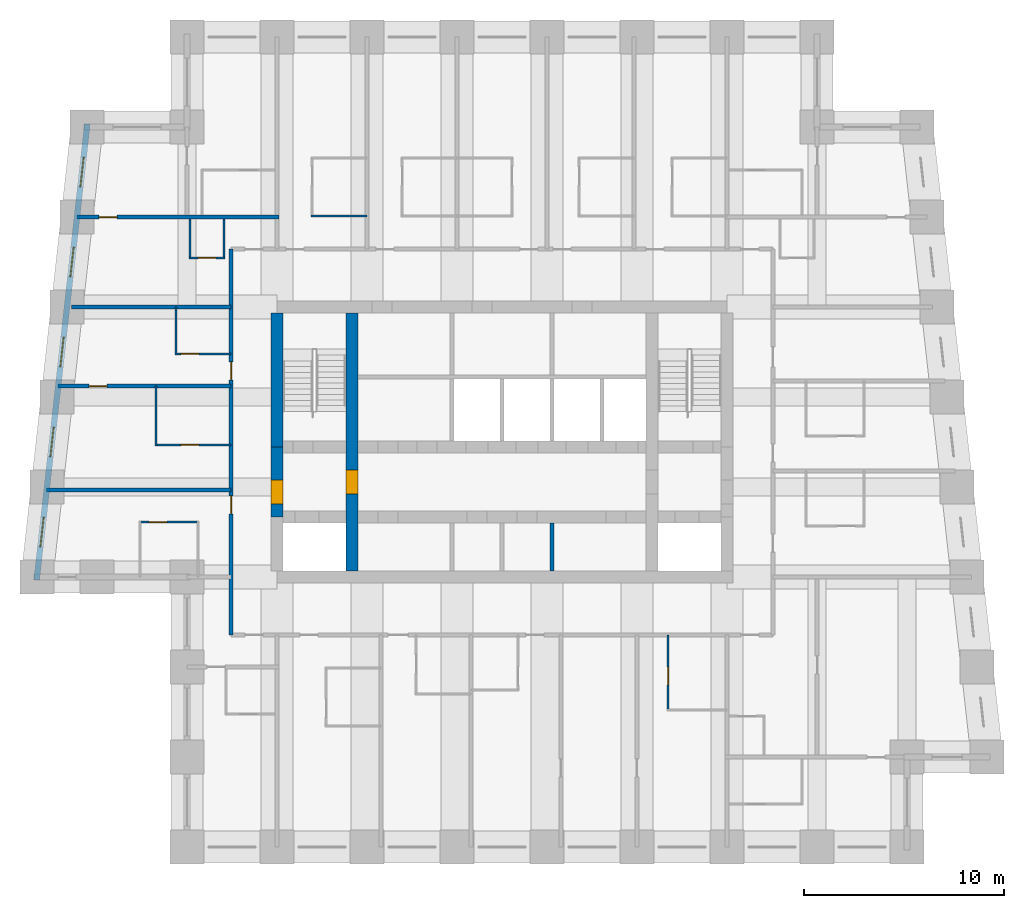
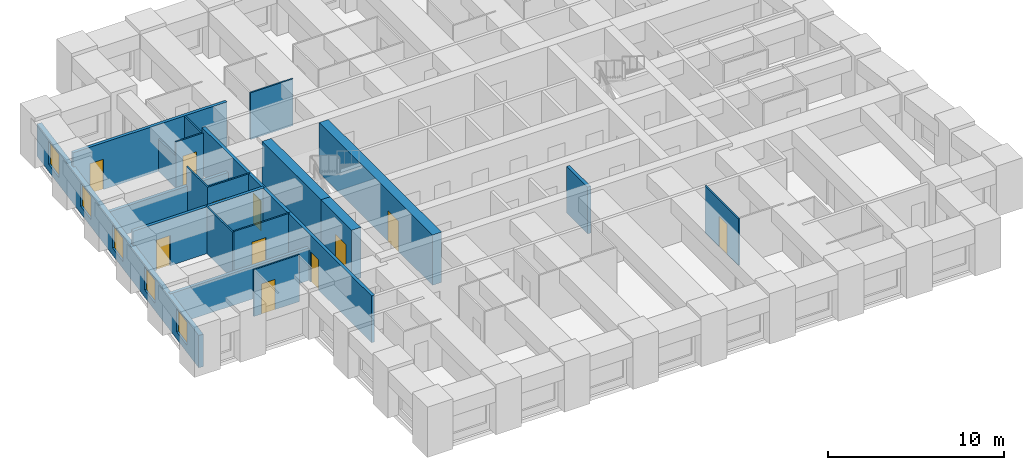
# One storey, part 3 of 8: 20 walls, 11 doors, 5 windows, 16 openings.
"""IFC4 building model written with IfcOpenShell, lengths in metres."""

from ifc_helpers import new_model, si_unit, direction, frame, frame_2d, origin, place, context, subcontext, project, spatial, rectangle, extrude, material, layer, layer_set, type_object, element, fill, save


model = new_model("IFC4")

# Units and contexts
model_context = context("Model", 3, precision=1e-05, world=origin(), true_north=direction((0.0, 1.0)))
body_context = subcontext(model_context, "Body", "Model", "MODEL_VIEW")
ifc_project = project(units=[si_unit("LENGTHUNIT", "METRE"), si_unit("AREAUNIT", "SQUARE_METRE"), si_unit("VOLUMEUNIT", "CUBIC_METRE"), si_unit("PLANEANGLEUNIT", "RADIAN"), si_unit("MASSUNIT", "GRAM", prefix="KILO")], contexts=[model_context])

# Site, building, storey
site_placement = place(None, origin())
site = spatial("IfcSite", under=ifc_project, at=site_placement, CompositionType="ELEMENT")
building_placement = place(site_placement, origin())
building = spatial("IfcBuilding", under=site, at=building_placement, Name="Kilele Tower Hotel", CompositionType="ELEMENT")
storey_placement = place(building_placement, frame((0.0, 0.0, 186.89990234375)))
storey = spatial("IfcBuildingStorey", under=building, at=storey_placement, Name="L48", CompositionType="ELEMENT", Elevation=186.89990234375)

# Wall, opening, door
ifc_material_1 = material(Name="Moisture-resistant board")
ifc_layer_1 = layer(ifc_material_1, 0.10009765625)
ifc_layer_set_1 = layer_set([ifc_layer_1], Name="Moisture-resistant board")
wall_type_1 = type_object("IfcWallType", Name="Bathroom partition 100", PredefinedType="PLUMBINGWALL", material=ifc_layer_set_1)
wall_1_placement = place(storey_placement, frame((33.050048828125, 10.60009765625, 0.0), z_axis=(0.0, 0.0, 1.0), x_axis=(0.0, -1.0, 0.0)))
wall_1 = element("IfcWall", 1, at=wall_1_placement, inside=storey, type_object=wall_type_1, Name="Bathroom partition 100 L48", PredefinedType="PLUMBINGWALL", context=body_context, shape_type="SweptSolid", body=[
    extrude(rectangle(XDim=3.800048828125, YDim=0.10009765625, at=frame_2d((1.89990234375, 0.0))), origin(), (0.0, 0.0, 1.0), 3.25),
])
opening_1_placement = place(wall_1_placement, frame((2.5, 0.0, 0.0), z_axis=(0.0, 0.0, 1.0), x_axis=(-1.0, 0.0, 0.0)))
opening_1 = element("IfcOpeningElement", 2, at=opening_1_placement, cuts=wall_1, Name="Opening D2A", PredefinedType="OPENING", context=body_context, shape_type="SweptSolid", body=[
    extrude(rectangle(XDim=0.89990234375, YDim=2.10009765625, at=frame_2d((0.449951171875, 1.050048828125))), frame((0.0, 0.06005859375, 0.0), z_axis=(0.0, -1.0, 0.0), x_axis=(1.0, 0.0, 0.0)), (0.0, 0.0, 1.0), 0.1201171875),
])
ifc_material_2 = material(Name="Timber door leaf in hardwood frame", Category="wood")
door_type_1 = type_object("IfcDoorType", Name="Bathroom door 900", OperationType="SINGLE_SWING_LEFT", PredefinedType="DOOR", material=ifc_material_2)
door_1_placement = place(opening_1_placement, origin())
door_1 = element("IfcDoor", 3, at=door_1_placement, inside=storey, type_object=door_type_1, Name="Bathroom door 4805B", OperationType="SINGLE_SWING_LEFT", OverallHeight=2.10009765625, OverallWidth=0.89990234375, PredefinedType="DOOR", context=body_context, shape_type="SweptSolid", body=[
    extrude(rectangle(XDim=0.89990234375, YDim=2.10009765625, at=frame_2d((0.449951171875, 1.050048828125))), frame((0.0, 0.02490234375, 0.0), z_axis=(0.0, -1.0, 0.0), x_axis=(1.0, 0.0, 0.0)), (0.0, 0.0, 1.0), 0.050048828125),
])
fill(opening_1, door_1)

# Wall
wall_2_placement = place(storey_placement, frame((15.199951171875, 31.550048828125, 0.0), z_axis=(0.0, 0.0, 1.0), x_axis=(1.0, 0.0, 0.0)))
element("IfcWall", 4, at=wall_2_placement, inside=storey, type_object=wall_type_1, Name="Bathroom partition 100 L48", PredefinedType="PLUMBINGWALL", context=body_context, shape_type="SweptSolid", body=[
    extrude(rectangle(XDim=2.800048828125, YDim=0.10009765625, at=frame_2d((1.39990234375, 0.0))), origin(), (0.0, 0.0, 1.0), 3.25),
])

# Wall, opening, door
wall_3_placement = place(storey_placement, frame((9.60009765625, 16.25, 0.0), z_axis=(0.0, 0.0, 1.0), x_axis=(-1.0, 0.0, 0.0)))
wall_3 = element("IfcWall", 5, at=wall_3_placement, inside=storey, type_object=wall_type_1, Name="Bathroom partition 100 L48", PredefinedType="PLUMBINGWALL", context=body_context, shape_type="SweptSolid", body=[
    extrude(rectangle(XDim=3.0, YDim=0.10009765625, at=frame_2d((1.5, 0.0))), origin(), (0.0, 0.0, 1.0), 3.25),
])
opening_2_placement = place(wall_3_placement, frame((2.5, 0.0, 0.0), z_axis=(0.0, 0.0, 1.0), x_axis=(-1.0, 0.0, 0.0)))
opening_2 = element("IfcOpeningElement", 6, at=opening_2_placement, cuts=wall_3, Name="Opening D2A", PredefinedType="OPENING", context=body_context, shape_type="SweptSolid", body=[
    extrude(rectangle(XDim=0.89990234375, YDim=2.10009765625, at=frame_2d((0.449951171875, 1.050048828125))), frame((0.0, 0.06005859375, 0.0), z_axis=(0.0, -1.0, 0.0), x_axis=(1.0, 0.0, 0.0)), (0.0, 0.0, 1.0), 0.1201171875),
])
door_2_placement = place(opening_2_placement, origin())
door_2 = element("IfcDoor", 7, at=door_2_placement, inside=storey, type_object=door_type_1, Name="Bathroom door 4814B", OperationType="SINGLE_SWING_LEFT", OverallHeight=2.10009765625, OverallWidth=0.89990234375, PredefinedType="DOOR", context=body_context, shape_type="SweptSolid", body=[
    extrude(rectangle(XDim=0.89990234375, YDim=2.10009765625, at=frame_2d((0.449951171875, 1.050048828125))), frame((0.0, 0.02490234375, 0.0), z_axis=(0.0, -1.0, 0.0), x_axis=(1.0, 0.0, 0.0)), (0.0, 0.0, 1.0), 0.050048828125),
])
fill(opening_2, door_2)

# Wall
wall_4_placement = place(storey_placement, frame((7.449951171875, 20.050048828125, 0.0), z_axis=(0.0, 0.0, 1.0), x_axis=(0.0, 1.0, 0.0)))
element("IfcWall", 8, at=wall_4_placement, inside=storey, type_object=wall_type_1, Name="Bathroom partition 100 L48", PredefinedType="PLUMBINGWALL", context=body_context, shape_type="SweptSolid", body=[
    extrude(rectangle(XDim=3.0, YDim=0.10009765625, at=frame_2d((1.5, 0.0))), origin(), (0.0, 0.0, 1.0), 3.25),
])

# Wall, opening, door
wall_5_placement = place(storey_placement, frame((11.199951171875, 20.10009765625, 0.0), z_axis=(0.0, 0.0, 1.0), x_axis=(-1.0, 0.0, 0.0)))
wall_5 = element("IfcWall", 9, at=wall_5_placement, inside=storey, type_object=wall_type_1, Name="Bathroom partition 100 L48", PredefinedType="PLUMBINGWALL", context=body_context, shape_type="SweptSolid", body=[
    extrude(rectangle(XDim=3.800048828125, YDim=0.10009765625, at=frame_2d((1.89990234375, 0.0))), origin(), (0.0, 0.0, 1.0), 3.25),
])
opening_3_placement = place(wall_5_placement, frame((1.60009765625, 0.0, 0.0)))
opening_3 = element("IfcOpeningElement", 10, at=opening_3_placement, cuts=wall_5, Name="Opening D2A", PredefinedType="OPENING", context=body_context, shape_type="SweptSolid", body=[
    extrude(rectangle(XDim=0.89990234375, YDim=2.10009765625, at=frame_2d((0.449951171875, 1.050048828125))), frame((0.0, 0.06005859375, 0.0), z_axis=(0.0, -1.0, 0.0), x_axis=(1.0, 0.0, 0.0)), (0.0, 0.0, 1.0), 0.1201171875),
])
door_3_placement = place(opening_3_placement, origin())
door_3 = element("IfcDoor", 11, at=door_3_placement, inside=storey, type_object=door_type_1, Name="Bathroom door 4815B", OperationType="SINGLE_SWING_RIGHT", OverallHeight=2.10009765625, OverallWidth=0.89990234375, PredefinedType="DOOR", context=body_context, shape_type="SweptSolid", body=[
    extrude(rectangle(XDim=0.89990234375, YDim=2.10009765625, at=frame_2d((0.449951171875, 1.050048828125))), frame((0.0, 0.02490234375, 0.0), z_axis=(0.0, -1.0, 0.0), x_axis=(1.0, 0.0, 0.0)), (0.0, 0.0, 1.0), 0.050048828125),
])
fill(opening_3, door_3)

# Wall
wall_6_placement = place(storey_placement, frame((8.449951171875, 24.60009765625, 0.0), z_axis=(0.0, 0.0, 1.0), x_axis=(0.0, 1.0, 0.0)))
element("IfcWall", 12, at=wall_6_placement, inside=storey, type_object=wall_type_1, Name="Bathroom partition 100 L48", PredefinedType="PLUMBINGWALL", context=body_context, shape_type="SweptSolid", body=[
    extrude(rectangle(XDim=2.39990234375, YDim=0.10009765625, at=frame_2d((1.199951171875, 0.0))), origin(), (0.0, 0.0, 1.0), 3.25),
])

# Wall, opening, door
wall_7_placement = place(storey_placement, frame((11.199951171875, 24.64990234375, 0.0), z_axis=(0.0, 0.0, 1.0), x_axis=(-1.0, 0.0, 0.0)))
wall_7 = element("IfcWall", 13, at=wall_7_placement, inside=storey, type_object=wall_type_1, Name="Bathroom partition 100 L48", PredefinedType="PLUMBINGWALL", context=body_context, shape_type="SweptSolid", body=[
    extrude(rectangle(XDim=2.800048828125, YDim=0.10009765625, at=frame_2d((1.39990234375, 0.0))), origin(), (0.0, 0.0, 1.0), 3.25),
])
opening_4_placement = place(wall_7_placement, frame((1.60009765625, 0.0, 0.0)))
opening_4 = element("IfcOpeningElement", 14, at=opening_4_placement, cuts=wall_7, Name="Opening D2A", PredefinedType="OPENING", context=body_context, shape_type="SweptSolid", body=[
    extrude(rectangle(XDim=0.89990234375, YDim=2.10009765625, at=frame_2d((0.449951171875, 1.050048828125))), frame((0.0, 0.06005859375, 0.0), z_axis=(0.0, -1.0, 0.0), x_axis=(1.0, 0.0, 0.0)), (0.0, 0.0, 1.0), 0.1201171875),
])
door_4_placement = place(opening_4_placement, origin())
door_4 = element("IfcDoor", 15, at=door_4_placement, inside=storey, type_object=door_type_1, Name="Bathroom door 4816B", OperationType="SINGLE_SWING_RIGHT", OverallHeight=2.10009765625, OverallWidth=0.89990234375, PredefinedType="DOOR", context=body_context, shape_type="SweptSolid", body=[
    extrude(rectangle(XDim=0.89990234375, YDim=2.10009765625, at=frame_2d((0.449951171875, 1.050048828125))), frame((0.0, 0.02490234375, 0.0), z_axis=(0.0, -1.0, 0.0), x_axis=(1.0, 0.0, 0.0)), (0.0, 0.0, 1.0), 0.050048828125),
])
fill(opening_4, door_4)

# Walls
wall_8_placement = place(storey_placement, frame((9.14990234375, 31.39990234375, 0.0), z_axis=(0.0, 0.0, 1.0), x_axis=(0.0, -1.0, 0.0)))
element("IfcWall", 16, at=wall_8_placement, inside=storey, type_object=wall_type_1, Name="Bathroom partition 100 L48", PredefinedType="PLUMBINGWALL", context=body_context, shape_type="SweptSolid", body=[
    extrude(rectangle(XDim=2.0, YDim=0.10009765625, at=frame_2d((1.0, 0.0))), origin(), (0.0, 0.0, 1.0), 2.25),
])
wall_9_placement = place(storey_placement, frame((10.85009765625, 31.39990234375, 0.0), z_axis=(0.0, 0.0, 1.0), x_axis=(0.0, -1.0, 0.0)))
element("IfcWall", 17, at=wall_9_placement, inside=storey, type_object=wall_type_1, Name="Bathroom partition 100 L48", PredefinedType="PLUMBINGWALL", context=body_context, shape_type="SweptSolid", body=[
    extrude(rectangle(XDim=2.0, YDim=0.10009765625, at=frame_2d((1.0, 0.0))), origin(), (0.0, 0.0, 1.0), 3.25),
])

# Wall, opening, door
wall_10_placement = place(storey_placement, frame((10.89990234375, 29.449951171875, 0.0), z_axis=(0.0, 0.0, 1.0), x_axis=(-1.0, 0.0, 0.0)))
wall_10 = element("IfcWall", 18, at=wall_10_placement, inside=storey, type_object=wall_type_1, Name="Bathroom partition 100 L48", PredefinedType="PLUMBINGWALL", context=body_context, shape_type="SweptSolid", body=[
    extrude(rectangle(XDim=1.7998046875, YDim=0.10009765625, at=frame_2d((0.89990234375, 0.0))), origin(), (0.0, 0.0, 1.0), 3.25),
])
opening_5_placement = place(wall_10_placement, frame((0.449951171875, 0.0, 0.0)))
opening_5 = element("IfcOpeningElement", 19, at=opening_5_placement, cuts=wall_10, Name="Opening D2A", PredefinedType="OPENING", context=body_context, shape_type="SweptSolid", body=[
    extrude(rectangle(XDim=0.89990234375, YDim=2.10009765625, at=frame_2d((0.449951171875, 1.050048828125))), frame((0.0, 0.06005859375, 0.0), z_axis=(0.0, -1.0, 0.0), x_axis=(1.0, 0.0, 0.0)), (0.0, 0.0, 1.0), 0.1201171875),
])
door_5_placement = place(opening_5_placement, origin())
door_5 = element("IfcDoor", 20, at=door_5_placement, inside=storey, type_object=door_type_1, Name="Bathroom door 4825P", OperationType="SINGLE_SWING_LEFT", OverallHeight=2.10009765625, OverallWidth=0.89990234375, PredefinedType="DOOR", context=body_context, shape_type="SweptSolid", body=[
    extrude(rectangle(XDim=0.89990234375, YDim=2.10009765625, at=frame_2d((0.449951171875, 1.050048828125))), frame((0.0, 0.02490234375, 0.0), z_axis=(0.0, -1.0, 0.0), x_axis=(1.0, 0.0, 0.0)), (0.0, 0.0, 1.0), 0.050048828125),
])
fill(opening_5, door_5)

ifc_material_3 = material(Name="Concrete C70/85", Category="concrete")
ifc_layer_2 = layer(ifc_material_3, 0.60009765625)
ifc_layer_set_2 = layer_set([ifc_layer_2], Name="Concrete C70/85")
wall_type_2 = type_object("IfcWallType", Name="Core wall 600 C70/85", PredefinedType="SHEAR", material=ifc_layer_set_2)
wall_11_placement = place(storey_placement, frame((17.25, 13.800048828125, 0.0), z_axis=(0.0, 0.0, 1.0), x_axis=(0.0, 1.0, 0.0)))
wall_11 = element("IfcWall", 21, at=wall_11_placement, inside=storey, type_object=wall_type_2, Name="Core wall IW L48", PredefinedType="SHEAR", context=body_context, shape_type="SweptSolid", body=[
    extrude(rectangle(XDim=12.89990234375, YDim=0.60009765625, at=frame_2d((6.449951171875, 0.0))), origin(), (0.0, 0.0, 1.0), 3.5),
])
opening_6_placement = place(wall_11_placement, frame((3.85009765625, 0.0, 0.0)))
opening_6 = element("IfcOpeningElement", 22, at=opening_6_placement, cuts=wall_11, Name="Opening D4", PredefinedType="OPENING", context=body_context, shape_type="SweptSolid", body=[
    extrude(rectangle(XDim=1.199951171875, YDim=2.10009765625, at=frame_2d((0.60009765625, 1.050048828125))), frame((0.0, 0.31005859375, 0.0), z_axis=(0.0, -1.0, 0.0), x_axis=(1.0, 0.0, 0.0)), (0.0, 0.0, 1.0), 0.6201171875),
])
ifc_material_4 = material(Name="Timber door leaf in hardwood frame", Category="wood")
door_type_2 = type_object("IfcDoorType", Name="Firefighting lobby door 1200", OperationType="SINGLE_SWING_LEFT", PredefinedType="DOOR", material=ifc_material_4)
door_6_placement = place(opening_6_placement, origin())
door_6 = element("IfcDoor", 23, at=door_6_placement, inside=storey, type_object=door_type_2, Name="Lobby door L48", OperationType="SINGLE_SWING_LEFT", OverallHeight=2.10009765625, OverallWidth=1.199951171875, PredefinedType="DOOR", context=body_context, shape_type="SweptSolid", body=[
    extrude(rectangle(XDim=1.199951171875, YDim=2.10009765625, at=frame_2d((0.60009765625, 1.050048828125))), frame((0.0, 0.2998046875, 0.0), z_axis=(0.0, -1.0, 0.0), x_axis=(1.0, 0.0, 0.0)), (0.0, 0.0, 1.0), 0.599609375),
])
fill(opening_6, door_6)

# Wall
wall_12_placement = place(storey_placement, frame((13.5, 26.699951171875, 0.0), z_axis=(0.0, 0.0, 1.0), x_axis=(0.0, -1.0, 0.0)))
element("IfcWall", 24, at=wall_12_placement, inside=storey, type_object=wall_type_2, Name="Core wall W1 L48", PredefinedType="SHEAR", context=body_context, shape_type="SweptSolid", body=[
    extrude(rectangle(XDim=6.699951171875, YDim=0.60009765625, at=frame_2d((3.35009765625, 0.0))), origin(), (0.0, 0.0, 1.0), 3.5),
])

# Wall, opening, door
wall_13_placement = place(storey_placement, frame((13.5, 20.0, 0.0), z_axis=(0.0, 0.0, 1.0), x_axis=(0.0, -1.0, 0.0)))
wall_13 = element("IfcWall", 25, at=wall_13_placement, inside=storey, type_object=wall_type_2, Name="Core wall W2 L48", PredefinedType="SHEAR", context=body_context, shape_type="SweptSolid", body=[
    extrude(rectangle(XDim=3.5, YDim=0.60009765625, at=frame_2d((1.75, 0.0))), origin(), (0.0, 0.0, 1.0), 3.5),
])
opening_7_placement = place(wall_13_placement, frame((1.64990234375, 0.0, 0.0)))
opening_7 = element("IfcOpeningElement", 26, at=opening_7_placement, cuts=wall_13, Name="Opening D4", PredefinedType="OPENING", context=body_context, shape_type="SweptSolid", body=[
    extrude(rectangle(XDim=1.199951171875, YDim=2.10009765625, at=frame_2d((0.60009765625, 1.050048828125))), frame((0.0, 0.31005859375, 0.0), z_axis=(0.0, -1.0, 0.0), x_axis=(1.0, 0.0, 0.0)), (0.0, 0.0, 1.0), 0.6201171875),
])
door_7_placement = place(opening_7_placement, origin())
door_7 = element("IfcDoor", 27, at=door_7_placement, inside=storey, type_object=door_type_2, Name="Lobby door L48", OperationType="SINGLE_SWING_RIGHT", OverallHeight=2.10009765625, OverallWidth=1.199951171875, PredefinedType="DOOR", context=body_context, shape_type="SweptSolid", body=[
    extrude(rectangle(XDim=1.199951171875, YDim=2.10009765625, at=frame_2d((0.60009765625, 1.050048828125))), frame((0.0, 0.2998046875, 0.0), z_axis=(0.0, -1.0, 0.0), x_axis=(1.0, 0.0, 0.0)), (0.0, 0.0, 1.0), 0.599609375),
])
fill(opening_7, door_7)

# Wall, openings, doors
ifc_material_5 = material(Name="Blockwork, plastered both sides", Category="masonry")
ifc_layer_3 = layer(ifc_material_5, 0.199951171875)
ifc_layer_set_3 = layer_set([ifc_layer_3], Name="Blockwork, plastered both sides")
wall_type_3 = type_object("IfcWallType", Name="Corridor wall 200", PredefinedType="PARTITIONING", material=ifc_layer_set_3)
wall_14_placement = place(storey_placement, frame((11.199951171875, 10.60009765625, 0.0), z_axis=(0.0, 0.0, 1.0), x_axis=(0.0, 1.0, 0.0)))
wall_14 = element("IfcWall", 28, at=wall_14_placement, inside=storey, type_object=wall_type_3, Name="Corridor wall 200 L48", PredefinedType="PARTITIONING", context=body_context, shape_type="SweptSolid", body=[
    extrude(rectangle(XDim=19.2998046875, YDim=0.199951171875, at=frame_2d((9.64990234375, 0.0))), origin(), (0.0, 0.0, 1.0), 3.25),
])
opening_8_placement = place(wall_14_placement, frame((6.050048828125, 0.0, 0.0)))
opening_8 = element("IfcOpeningElement", 29, at=opening_8_placement, cuts=wall_14, Name="Opening D1", PredefinedType="OPENING", context=body_context, shape_type="SweptSolid", body=[
    extrude(rectangle(XDim=0.89990234375, YDim=2.10009765625, at=frame_2d((0.449951171875, 1.050048828125))), frame((0.0, 0.10986328125, 0.0), z_axis=(0.0, -1.0, 0.0), x_axis=(1.0, 0.0, 0.0)), (0.0, 0.0, 1.0), 0.219970703125),
])
opening_9_placement = place(wall_14_placement, frame((12.75, 0.0, 0.0)))
opening_9 = element("IfcOpeningElement", 30, at=opening_9_placement, cuts=wall_14, Name="Opening D1", PredefinedType="OPENING", context=body_context, shape_type="SweptSolid", body=[
    extrude(rectangle(XDim=0.89990234375, YDim=2.10009765625, at=frame_2d((0.449951171875, 1.050048828125))), frame((0.0, 0.10986328125, 0.0), z_axis=(0.0, -1.0, 0.0), x_axis=(1.0, 0.0, 0.0)), (0.0, 0.0, 1.0), 0.219970703125),
])
ifc_material_6 = material(Name="Timber door leaf in hardwood frame", Category="wood")
door_type_3 = type_object("IfcDoorType", Name="Guest room entrance door 900", OperationType="SINGLE_SWING_LEFT", PredefinedType="DOOR", material=ifc_material_6)
door_8_placement = place(opening_8_placement, origin())
door_8 = element("IfcDoor", 31, at=door_8_placement, inside=storey, type_object=door_type_3, Name="Room entrance 4814", OperationType="SINGLE_SWING_RIGHT", OverallHeight=2.10009765625, OverallWidth=0.89990234375, PredefinedType="DOOR", context=body_context, shape_type="SweptSolid", body=[
    extrude(rectangle(XDim=0.89990234375, YDim=2.10009765625, at=frame_2d((0.449951171875, 1.050048828125))), frame((0.0, 0.02490234375, 0.0), z_axis=(0.0, -1.0, 0.0), x_axis=(1.0, 0.0, 0.0)), (0.0, 0.0, 1.0), 0.050048828125),
])
fill(opening_8, door_8)
door_9_placement = place(opening_9_placement, origin())
door_9 = element("IfcDoor", 32, at=door_9_placement, inside=storey, type_object=door_type_3, Name="Room entrance 4816", OperationType="SINGLE_SWING_LEFT", OverallHeight=2.10009765625, OverallWidth=0.89990234375, PredefinedType="DOOR", context=body_context, shape_type="SweptSolid", body=[
    extrude(rectangle(XDim=0.89990234375, YDim=2.10009765625, at=frame_2d((0.449951171875, 1.050048828125))), frame((0.0, 0.02490234375, 0.0), z_axis=(0.0, -1.0, 0.0), x_axis=(1.0, 0.0, 0.0)), (0.0, 0.0, 1.0), 0.050048828125),
])
fill(opening_9, door_9)

# Wall
ifc_material_7 = material(Name="Blockwork, plastered both sides", Category="masonry")
ifc_layer_4 = layer(ifc_material_7, 0.199951171875)
ifc_layer_set_4 = layer_set([ifc_layer_4], Name="Blockwork, plastered both sides")
wall_type_4 = type_object("IfcWallType", Name="Party wall 200", PredefinedType="PARTITIONING", material=ifc_layer_set_4)
wall_15_placement = place(storey_placement, frame((11.199951171875, 17.85009765625, 0.0), z_axis=(0.0, 0.0, 1.0), x_axis=(-1.0, 0.0, 0.0)))
element("IfcWall", 33, at=wall_15_placement, inside=storey, type_object=wall_type_4, Name="Party wall 200 L48", PredefinedType="PARTITIONING", context=body_context, shape_type="SweptSolid", body=[
    extrude(rectangle(XDim=9.215576171875, YDim=0.199951171875, at=frame_2d((4.60791015625, 0.0))), origin(), (0.0, 0.0, 1.0), 2.25),
])

# Wall, opening, door
wall_16_placement = place(storey_placement, frame((11.199951171875, 23.050048828125, 0.0), z_axis=(0.0, 0.0, 1.0), x_axis=(-1.0, 0.0, 0.0)))
wall_16 = element("IfcWall", 34, at=wall_16_placement, inside=storey, type_object=wall_type_4, Name="Party wall 200 L48", PredefinedType="PARTITIONING", context=body_context, shape_type="SweptSolid", body=[
    extrude(rectangle(XDim=8.637939453125, YDim=0.199951171875, at=frame_2d((4.31884765625, 0.0))), origin(), (0.0, 0.0, 1.0), 3.25),
])
opening_10_placement = place(wall_16_placement, frame((7.099853515625, 0.0, 0.0), z_axis=(0.0, 0.0, 1.0), x_axis=(-1.0, 0.0, 0.0)))
opening_10 = element("IfcOpeningElement", 35, at=opening_10_placement, cuts=wall_16, Name="Opening D3", PredefinedType="OPENING", context=body_context, shape_type="SweptSolid", body=[
    extrude(rectangle(XDim=0.89990234375, YDim=2.10009765625, at=frame_2d((0.449951171875, 1.050048828125))), frame((0.0, 0.10986328125, 0.0), z_axis=(0.0, -1.0, 0.0), x_axis=(1.0, 0.0, 0.0)), (0.0, 0.0, 1.0), 0.219970703125),
])
ifc_material_8 = material(Name="Timber door leaf in hardwood frame", Category="wood")
door_type_4 = type_object("IfcDoorType", Name="Suite internal door 900", OperationType="SINGLE_SWING_LEFT", PredefinedType="DOOR", material=ifc_material_8)
door_10_placement = place(opening_10_placement, origin())
door_10 = element("IfcDoor", 36, at=door_10_placement, inside=storey, type_object=door_type_4, Name="Suite door 4816", OperationType="SINGLE_SWING_LEFT", OverallHeight=2.10009765625, OverallWidth=0.89990234375, PredefinedType="DOOR", context=body_context, shape_type="SweptSolid", body=[
    extrude(rectangle(XDim=0.89990234375, YDim=2.10009765625, at=frame_2d((0.449951171875, 1.050048828125))), frame((0.0, 0.02490234375, 0.0), z_axis=(0.0, -1.0, 0.0), x_axis=(1.0, 0.0, 0.0)), (0.0, 0.0, 1.0), 0.050048828125),
])
fill(opening_10, door_10)

# Wall
wall_17_placement = place(storey_placement, frame((11.199951171875, 27.0, 0.0), z_axis=(0.0, 0.0, 1.0), x_axis=(-1.0, 0.0, 0.0)))
element("IfcWall", 37, at=wall_17_placement, inside=storey, type_object=wall_type_4, Name="Party wall 200 L48", PredefinedType="PARTITIONING", context=body_context, shape_type="SweptSolid", body=[
    extrude(rectangle(XDim=7.976806640625, YDim=0.199951171875, at=frame_2d((3.98828125, 0.0))), origin(), (0.0, 0.0, 1.0), 1.9501953125),
])

# Wall, opening, door
wall_18_placement = place(storey_placement, frame((13.60009765625, 31.5, 0.0), z_axis=(0.0, 0.0, 1.0), x_axis=(-1.0, 0.0, 0.0)))
wall_18 = element("IfcWall", 38, at=wall_18_placement, inside=storey, type_object=wall_type_4, Name="Party wall 200 L48", PredefinedType="PARTITIONING", context=body_context, shape_type="SweptSolid", body=[
    extrude(rectangle(XDim=10.09912109375, YDim=0.199951171875, at=frame_2d((5.049560546875, 0.0))), origin(), (0.0, 0.0, 1.0), 3.25),
])
opening_11_placement = place(wall_18_placement, frame((8.9990234375, 0.0, 0.0), z_axis=(0.0, 0.0, 1.0), x_axis=(-1.0, 0.0, 0.0)))
opening_11 = element("IfcOpeningElement", 39, at=opening_11_placement, cuts=wall_18, Name="Opening D3", PredefinedType="OPENING", context=body_context, shape_type="SweptSolid", body=[
    extrude(rectangle(XDim=0.89990234375, YDim=2.10009765625, at=frame_2d((0.449951171875, 1.050048828125))), frame((0.0, 0.10986328125, 0.0), z_axis=(0.0, -1.0, 0.0), x_axis=(1.0, 0.0, 0.0)), (0.0, 0.0, 1.0), 0.219970703125),
])
door_11_placement = place(opening_11_placement, origin())
door_11 = element("IfcDoor", 40, at=door_11_placement, inside=storey, type_object=door_type_4, Name="Suite door 4826", OperationType="SINGLE_SWING_LEFT", OverallHeight=2.10009765625, OverallWidth=0.89990234375, PredefinedType="DOOR", context=body_context, shape_type="SweptSolid", body=[
    extrude(rectangle(XDim=0.89990234375, YDim=2.10009765625, at=frame_2d((0.449951171875, 1.050048828125))), frame((0.0, 0.02490234375, 0.0), z_axis=(0.0, -1.0, 0.0), x_axis=(1.0, 0.0, 0.0)), (0.0, 0.0, 1.0), 0.050048828125),
])
fill(opening_11, door_11)

# Wall, openings, windows
ifc_material_9 = material(Name="Concrete C40/50 precast", Category="concrete")
ifc_layer_5 = layer(ifc_material_9, 0.260009765625, Name="Precast backing", Category="LoadBearing")
ifc_material_10 = material(Name="Reconstituted stone finish", Category="masonry")
ifc_layer_6 = layer(ifc_material_10, 0.0400390625, Name="Face mix", Category="Finish")
ifc_layer_set_5 = layer_set([ifc_layer_5, ifc_layer_6], Name="Precast concrete C40/50, reconstituted stone finish")
wall_type_5 = type_object("IfcWallType", Name="Precast stone facade wall 300", PredefinedType="STANDARD", material=ifc_layer_set_5)
wall_19_placement = place(storey_placement, frame((4.0166015625, 36.149169921875, 0.0), z_axis=(0.0, 0.0, 1.0), x_axis=(-0.110433862387, -0.993883475081, 0.0)))
wall_19 = element("IfcWall", 41, at=wall_19_placement, inside=storey, type_object=wall_type_5, Name="Facade wall L48 edge 12", PredefinedType="STANDARD", context=body_context, shape_type="SweptSolid", body=[
    extrude(rectangle(XDim=22.938720703125, YDim=0.300048828125, at=frame_2d((11.46923828125, 0.0))), origin(), (0.0, 0.0, 1.0), 2.25),
])
opening_12_placement = place(wall_19_placement, frame((1.6640625, 0.0, 0.5)))
opening_12 = element("IfcOpeningElement", 42, at=opening_12_placement, cuts=wall_19, Name="Opening W3", PredefinedType="OPENING", context=body_context, shape_type="SweptSolid", body=[
    extrude(rectangle(XDim=1.5, YDim=1.60009765625, at=frame_2d((0.75, 0.800048828125))), frame((0.0, 0.159912109375, 0.0), z_axis=(0.0, -1.0, 0.0), x_axis=(1.0, 0.0, 0.0)), (0.0, 0.0, 1.0), 0.320068359375),
])
opening_13_placement = place(wall_19_placement, frame((6.19189453125, 0.0, 0.5)))
opening_13 = element("IfcOpeningElement", 43, at=opening_13_placement, cuts=wall_19, Name="Opening W3", PredefinedType="OPENING", context=body_context, shape_type="SweptSolid", body=[
    extrude(rectangle(XDim=1.5, YDim=1.60009765625, at=frame_2d((0.75, 0.800048828125))), frame((0.0, 0.159912109375, 0.0), z_axis=(0.0, -1.0, 0.0), x_axis=(1.0, 0.0, 0.0)), (0.0, 0.0, 1.0), 0.320068359375),
])
opening_14_placement = place(wall_19_placement, frame((10.718994140625, 0.0, 0.5)))
opening_14 = element("IfcOpeningElement", 44, at=opening_14_placement, cuts=wall_19, Name="Opening W3", PredefinedType="OPENING", context=body_context, shape_type="SweptSolid", body=[
    extrude(rectangle(XDim=1.5, YDim=1.60009765625, at=frame_2d((0.75, 0.800048828125))), frame((0.0, 0.159912109375, 0.0), z_axis=(0.0, -1.0, 0.0), x_axis=(1.0, 0.0, 0.0)), (0.0, 0.0, 1.0), 0.320068359375),
])
opening_15_placement = place(wall_19_placement, frame((15.2470703125, 0.0, 0.5)))
opening_15 = element("IfcOpeningElement", 45, at=opening_15_placement, cuts=wall_19, Name="Opening W3", PredefinedType="OPENING", context=body_context, shape_type="SweptSolid", body=[
    extrude(rectangle(XDim=1.5, YDim=1.60009765625, at=frame_2d((0.75, 0.800048828125))), frame((0.0, 0.159912109375, 0.0), z_axis=(0.0, -1.0, 0.0), x_axis=(1.0, 0.0, 0.0)), (0.0, 0.0, 1.0), 0.320068359375),
])
opening_16_placement = place(wall_19_placement, frame((19.77490234375, 0.0, 0.5)))
opening_16 = element("IfcOpeningElement", 46, at=opening_16_placement, cuts=wall_19, Name="Opening W3", PredefinedType="OPENING", context=body_context, shape_type="SweptSolid", body=[
    extrude(rectangle(XDim=1.5, YDim=1.60009765625, at=frame_2d((0.75, 0.800048828125))), frame((0.0, 0.159912109375, 0.0), z_axis=(0.0, -1.0, 0.0), x_axis=(1.0, 0.0, 0.0)), (0.0, 0.0, 1.0), 0.320068359375),
])
ifc_material_11 = material(Name="Aluminium frame, clear double glazing", Category="aluminium")
window_type = type_object("IfcWindowType", Name="Window W3 1500 x 1600", PartitioningType="SINGLE_PANEL", PredefinedType="WINDOW", material=ifc_material_11)
window_1_placement = place(opening_12_placement, origin())
window_1 = element("IfcWindow", 47, at=window_1_placement, inside=storey, type_object=window_type, Name="Window L48", OverallHeight=1.60009765625, OverallWidth=1.5, PartitioningType="SINGLE_PANEL", PredefinedType="WINDOW", context=body_context, shape_type="SweptSolid", body=[
    extrude(rectangle(XDim=1.5, YDim=1.60009765625, at=frame_2d((0.75, 0.800048828125))), frame((0.0, 0.030029296875, 0.0), z_axis=(0.0, -1.0, 0.0), x_axis=(1.0, 0.0, 0.0)), (0.0, 0.0, 1.0), 0.06005859375),
])
fill(opening_12, window_1)
window_2_placement = place(opening_13_placement, origin())
window_2 = element("IfcWindow", 48, at=window_2_placement, inside=storey, type_object=window_type, Name="Window L48", OverallHeight=1.60009765625, OverallWidth=1.5, PartitioningType="SINGLE_PANEL", PredefinedType="WINDOW", context=body_context, shape_type="SweptSolid", body=[
    extrude(rectangle(XDim=1.5, YDim=1.60009765625, at=frame_2d((0.75, 0.800048828125))), frame((0.0, 0.030029296875, 0.0), z_axis=(0.0, -1.0, 0.0), x_axis=(1.0, 0.0, 0.0)), (0.0, 0.0, 1.0), 0.06005859375),
])
fill(opening_13, window_2)
window_3_placement = place(opening_14_placement, origin())
window_3 = element("IfcWindow", 49, at=window_3_placement, inside=storey, type_object=window_type, Name="Window L48", OverallHeight=1.60009765625, OverallWidth=1.5, PartitioningType="SINGLE_PANEL", PredefinedType="WINDOW", context=body_context, shape_type="SweptSolid", body=[
    extrude(rectangle(XDim=1.5, YDim=1.60009765625, at=frame_2d((0.75, 0.800048828125))), frame((0.0, 0.030029296875, 0.0), z_axis=(0.0, -1.0, 0.0), x_axis=(1.0, 0.0, 0.0)), (0.0, 0.0, 1.0), 0.06005859375),
])
fill(opening_14, window_3)
window_4_placement = place(opening_15_placement, origin())
window_4 = element("IfcWindow", 50, at=window_4_placement, inside=storey, type_object=window_type, Name="Window L48", OverallHeight=1.60009765625, OverallWidth=1.5, PartitioningType="SINGLE_PANEL", PredefinedType="WINDOW", context=body_context, shape_type="SweptSolid", body=[
    extrude(rectangle(XDim=1.5, YDim=1.60009765625, at=frame_2d((0.75, 0.800048828125))), frame((0.0, 0.030029296875, 0.0), z_axis=(0.0, -1.0, 0.0), x_axis=(1.0, 0.0, 0.0)), (0.0, 0.0, 1.0), 0.06005859375),
])
fill(opening_15, window_4)
window_5_placement = place(opening_16_placement, origin())
window_5 = element("IfcWindow", 51, at=window_5_placement, inside=storey, type_object=window_type, Name="Window L48", OverallHeight=1.60009765625, OverallWidth=1.5, PartitioningType="SINGLE_PANEL", PredefinedType="WINDOW", context=body_context, shape_type="SweptSolid", body=[
    extrude(rectangle(XDim=1.5, YDim=1.60009765625, at=frame_2d((0.75, 0.800048828125))), frame((0.0, 0.030029296875, 0.0), z_axis=(0.0, -1.0, 0.0), x_axis=(1.0, 0.0, 0.0)), (0.0, 0.0, 1.0), 0.06005859375),
])
fill(opening_16, window_5)

# Wall
ifc_material_12 = material(Name="Blockwork, fire-rated", Category="masonry")
ifc_layer_7 = layer(ifc_material_12, 0.199951171875)
ifc_layer_set_6 = layer_set([ifc_layer_7], Name="Blockwork, fire-rated")
wall_type_6 = type_object("IfcWallType", Name="Shaft wall 200", PredefinedType="PARTITIONING", material=ifc_layer_set_6)
wall_20_placement = place(storey_placement, frame((27.25, 13.800048828125, 0.0), z_axis=(0.0, 0.0, 1.0), x_axis=(0.0, 1.0, 0.0)))
element("IfcWall", 52, at=wall_20_placement, inside=storey, type_object=wall_type_6, Name="Shaft wall 200 L48", PredefinedType="PARTITIONING", context=body_context, shape_type="SweptSolid", body=[
    extrude(rectangle(XDim=2.39990234375, YDim=0.199951171875, at=frame_2d((1.199951171875, 0.0))), origin(), (0.0, 0.0, 1.0), 3.25),
])

save(model, "model.ifc")
